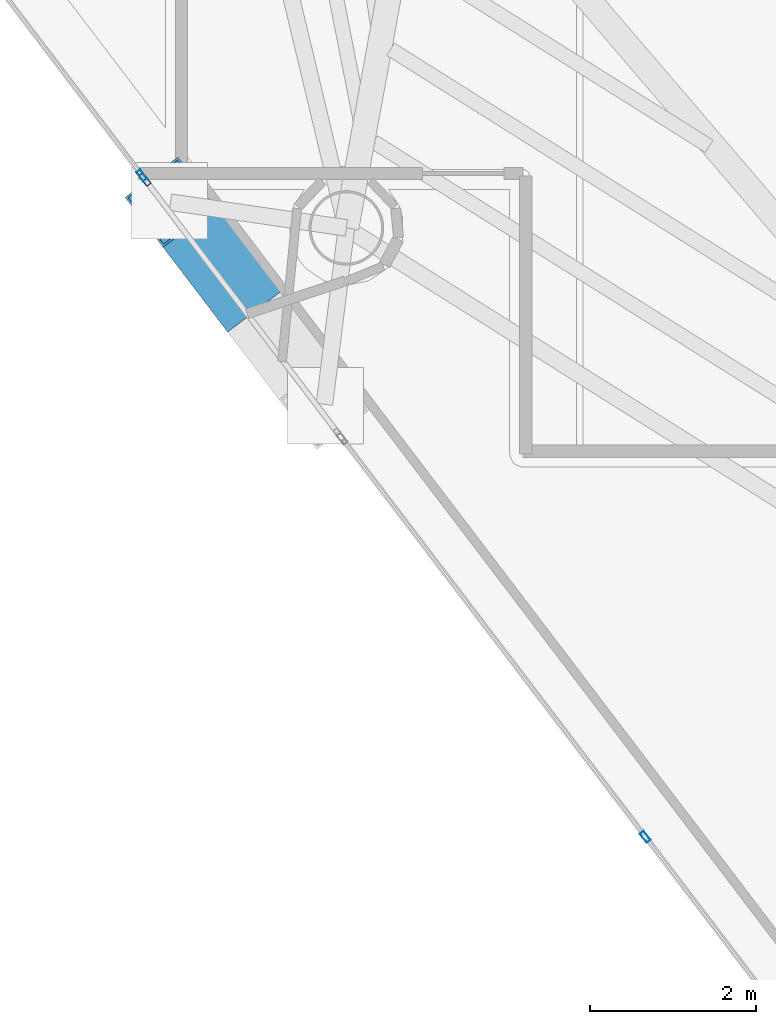
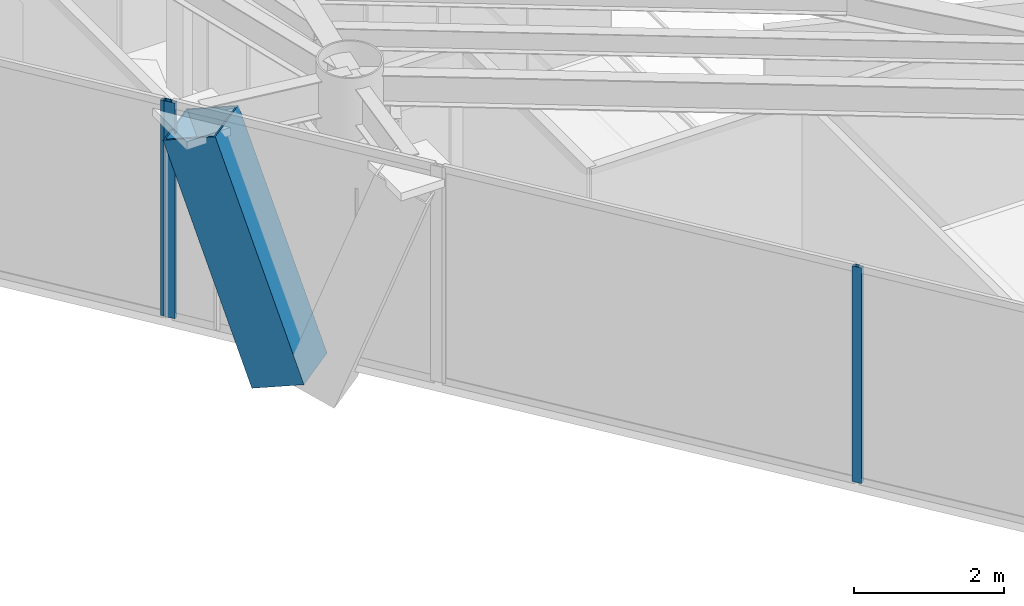
# One storey, part 2 of 24: 4 members, 3 elements without a shape of their own.
"""IFC4 building model written with IfcOpenShell, lengths in metres."""

import ifcopenshell
import ifcopenshell.guid

model = None  # the IFC model being written
_history = None  # IfcOwnerHistory: only IFC2X3 demands one
_inside = {}  # id of a spatial element -> (the spatial element, [elements in it])
_under = {}  # id of a project, library or spatial element -> (it, [spatial elements below it])
_declared = {}  # id of a project -> (the project, [libraries it declares])
_typed = {}  # id of a type object -> (the type object, [elements of that type])
_made_of = {}  # id of a material, layer set ... -> (it, [elements and type objects made of it])


def new_model(schema):
    """Start an empty IFC model of exactly this schema.

    Asked for "IFC4X3", IfcOpenShell would pick the latest addendum, in which some entities
    have other attributes; the version numbers below select the first issue.
    IFC2X3 requires an IfcOwnerHistory on every rooted entity: one is made here for all.
    """
    global model, _history
    if schema == "IFC4X3":
        model = ifcopenshell.file(schema_version=(4, 3, 0, 0))
    else:
        model = ifcopenshell.file(schema=schema)
    _inside.clear()
    _under.clear()
    _declared.clear()
    _typed.clear()
    _made_of.clear()
    _history = None
    if model.schema == "IFC2X3":
        org = make("IfcOrganization", Name="unknown")
        user = make(
            "IfcPersonAndOrganization",
            ThePerson=make("IfcPerson", FamilyName="unknown"),
            TheOrganization=org,
        )
        app = make(
            "IfcApplication",
            ApplicationDeveloper=org,
            Version="unknown",
            ApplicationFullName="unknown",
            ApplicationIdentifier="unknown",
        )
        _history = make(
            "IfcOwnerHistory",
            OwningUser=user,
            OwningApplication=app,
            ChangeAction="ADDED",
            CreationDate=0,
        )
    return model


def make(cls, **values):
    """One entity of the class cls with the attributes given. An attribute that is None is left unset."""
    return model.create_entity(
        cls, **{name: value for name, value in values.items() if value is not None}
    )


def rooted(cls, **values):
    """An entity with a GlobalId (a new one), such as an element, a storey or a relation."""
    return make(cls, GlobalId=ifcopenshell.guid.new(), OwnerHistory=_history, **values)


def si_unit(unit_type, name, prefix=None):
    """IfcSIUnit, for example si_unit("LENGTHUNIT", "METRE", prefix="MILLI")."""
    return make("IfcSIUnit", UnitType=unit_type, Prefix=prefix, Name=name)


def assignment(units):
    """IfcUnitAssignment: the units of a project."""
    return None if units is None else make("IfcUnitAssignment", Units=units)


def point(xyz):
    """IfcCartesianPoint."""
    return None if xyz is None else make("IfcCartesianPoint", Coordinates=xyz)


def direction(xyz):
    """IfcDirection."""
    return None if xyz is None else make("IfcDirection", DirectionRatios=xyz)


def frame(location, z_axis=None, x_axis=None):
    """IfcAxis2Placement3D, a coordinate frame: its origin and axes. An axis left out is left unset."""
    return make(
        "IfcAxis2Placement3D",
        Location=point(location),
        Axis=direction(z_axis),
        RefDirection=direction(x_axis),
    )


def frame_2d(location, x_axis=None):
    """IfcAxis2Placement2D, a coordinate frame in the plane: its origin and x axis."""
    return make(
        "IfcAxis2Placement2D", Location=point(location), RefDirection=direction(x_axis)
    )


def origin():
    """The frame at (0, 0, 0) with its axes left unset."""
    return frame((0.0, 0.0, 0.0))


def origin_2d():
    """The frame at (0, 0) in the plane with its x axis left unset."""
    return frame_2d((0.0, 0.0))


def place(relative_to, where):
    """IfcLocalPlacement: puts the frame where relative to a parent placement (None: the world)."""
    return make(
        "IfcLocalPlacement", PlacementRelTo=relative_to, RelativePlacement=where
    )


def context(
    kind, dimensions, precision=None, world=None, true_north=None, identifier=None
):
    """IfcGeometricRepresentationContext, for example the 3D "Model" context."""
    return make(
        "IfcGeometricRepresentationContext",
        ContextIdentifier=identifier,
        ContextType=kind,
        CoordinateSpaceDimension=dimensions,
        Precision=precision,
        WorldCoordinateSystem=world,
        TrueNorth=true_north,
    )


def subcontext(parent, identifier, kind, view, scale=None):
    """IfcGeometricRepresentationSubContext, for example "Body" below "Model"."""
    return make(
        "IfcGeometricRepresentationSubContext",
        ContextIdentifier=identifier,
        ContextType=kind,
        ParentContext=parent,
        TargetScale=scale,
        TargetView=view,
    )


def project(units=None, contexts=None):
    """IfcProject with its units and contexts."""
    return rooted(
        "IfcProject",
        Name="project",
        RepresentationContexts=contexts,
        UnitsInContext=assignment(units),
    )


def spatial(cls, under=None, at=None, **own):
    """A site, building, storey or space (cls), placed at a placement, below another one or the project."""
    s = rooted(cls, ObjectPlacement=at, **own)
    if under is not None:
        _under.setdefault(under.id(), (under, []))[1].append(s)
    return s


def profile(cls, at=None, kind="AREA", **sizes):
    """A parametric profile (cls). Its sizes go by their IFC names, for example OverallWidth=200.0."""
    return make(cls, ProfileType=kind, Position=at, **sizes)


def hollow_rectangle(**sizes):
    """IfcRectangleHollowProfileDef."""
    return profile("IfcRectangleHollowProfileDef", **sizes)


def extrude(swept, where, along, depth):
    """IfcExtrudedAreaSolid: the profile swept, set in the frame where, extruded along a direction by depth."""
    return make(
        "IfcExtrudedAreaSolid",
        SweptArea=swept,
        Position=where,
        ExtrudedDirection=direction(along),
        Depth=depth,
    )


def shape(context_of_items, identifier, shape_type, items):
    """IfcShapeRepresentation: the items that make up one representation, for example the "Body"."""
    return make(
        "IfcShapeRepresentation",
        ContextOfItems=context_of_items,
        RepresentationIdentifier=identifier,
        RepresentationType=shape_type,
        Items=items,
    )


def material(Name=None, Category=None):
    """IfcMaterial."""
    return make("IfcMaterial", Name=Name, Category=Category)


def layer(
    of_material, thickness, ventilated=None, Name=None, Category=None, Priority=None
):
    """IfcMaterialLayer: one layer of a wall or slab, of a material (None: an air gap)."""
    return make(
        "IfcMaterialLayer",
        Material=of_material,
        LayerThickness=thickness,
        IsVentilated=ventilated,
        Name=Name,
        Category=Category,
        Priority=Priority,
    )


def layer_set(layers, Name=None):
    """IfcMaterialLayerSet."""
    return make("IfcMaterialLayerSet", MaterialLayers=layers, LayerSetName=Name)


def material_profile(
    of_material, cross_section, Name=None, Category=None, Priority=None
):
    """IfcMaterialProfile: a cross section and its material."""
    return make(
        "IfcMaterialProfile",
        Name=Name,
        Material=of_material,
        Profile=cross_section,
        Priority=Priority,
        Category=Category,
    )


def profile_set(profiles, Name=None, composite=None):
    """IfcMaterialProfileSet."""
    return make(
        "IfcMaterialProfileSet",
        Name=Name,
        MaterialProfiles=profiles,
        CompositeProfile=composite,
    )


def made_of(thing, what):
    """Note that an element or type object is made of a material, layer set ...; save() writes the relation."""
    if what is not None:
        _made_of.setdefault(what.id(), (what, []))[1].append(thing)
    return thing


def type_object(cls, material=None, **own):
    """A type object (cls), such as IfcWallType, which elements share."""
    return made_of(rooted(cls, **own), material)


def element(
    cls,
    number,
    at=None,
    inside=None,
    cuts=None,
    type_object=None,
    material=None,
    context=None,
    identifier="Body",
    shape_type=None,
    held_by="IfcProductDefinitionShape",
    body=None,
    shapes=None,
    **own,
):
    """One element of the class cls, such as IfcWall. Its Tag is "e" and its number.

    at: its placement. inside: the storey or other place that contains it. cuts: it is an
    opening in that element (IfcRelVoidsElement). A single representation is given by context,
    identifier, shape_type and body (its items); several are given by shapes. held_by: the class
    of the entity that holds the representations. save() writes the other relations.
    """
    e = rooted(cls, Tag="e%d" % number, ObjectPlacement=at, **own)
    if body is not None:
        shapes = [shape(context, identifier, shape_type, body)]
    if shapes is not None:
        e.Representation = make(held_by, Representations=shapes)
    if inside is not None:
        _inside.setdefault(inside.id(), (inside, []))[1].append(e)
    if cuts is not None:
        rooted(
            "IfcRelVoidsElement", RelatingBuildingElement=cuts, RelatedOpeningElement=e
        )
    if type_object is not None:
        _typed.setdefault(type_object.id(), (type_object, []))[1].append(e)
    return made_of(e, material)


def aggregate(whole, parts):
    """IfcRelAggregates: a whole, such as a stair, and the parts it consists of."""
    return rooted("IfcRelAggregates", RelatingObject=whole, RelatedObjects=parts)


def save(model, path):
    """Write the relations noted so far, then the file.

    IfcRelAggregates (storeys below a building ...), IfcRelContainedInSpatialStructure (elements
    in a storey), IfcRelDefinesByType, IfcRelAssociatesMaterial and IfcRelDeclares: one each for
    every whole, place, type object, material and project.
    """
    for whole, parts in _under.values():
        aggregate(whole, parts)
    for where, things in _inside.values():
        rooted(
            "IfcRelContainedInSpatialStructure",
            RelatedElements=things,
            RelatingStructure=where,
        )
    for kind, things in _typed.values():
        rooted("IfcRelDefinesByType", RelatedObjects=things, RelatingType=kind)
    for what, things in _made_of.values():
        rooted("IfcRelAssociatesMaterial", RelatedObjects=things, RelatingMaterial=what)
    for by, libraries in _declared.values():
        rooted("IfcRelDeclares", RelatingContext=by, RelatedDefinitions=libraries)
    model.write(path)


model = new_model("IFC4")

# Units and contexts
model_context = context("Model", 3, precision=1e-05, world=origin(), true_north=direction((0.0, 1.0)))
body_context = subcontext(model_context, "Body", "Model", "MODEL_VIEW")
ifc_project = project(units=[si_unit("LENGTHUNIT", "METRE"), si_unit("AREAUNIT", "SQUARE_METRE"), si_unit("VOLUMEUNIT", "CUBIC_METRE"), si_unit("PLANEANGLEUNIT", "RADIAN"), si_unit("MASSUNIT", "GRAM", prefix="KILO")], contexts=[model_context])

# Site, building, storey
site_placement = place(None, origin())
site = spatial("IfcSite", under=ifc_project, at=site_placement, CompositionType="ELEMENT")
building_placement = place(site_placement, origin())
building = spatial("IfcBuilding", under=site, at=building_placement, Name="Qianvela Tower", CompositionType="ELEMENT")
storey_placement = place(building_placement, frame((0.0, 0.0, 306.5)))
storey = spatial("IfcBuildingStorey", under=building, at=storey_placement, Name="L79", CompositionType="ELEMENT", Elevation=306.5)

# Curtain wall, member
ifc_material_1 = material(Name="Anodised Architectural Aluminium and Insulated Spandrel Panel", Category="aluminium")
ifc_layer_1 = layer(ifc_material_1, 0.179931640625)
ifc_layer_set_1 = layer_set([ifc_layer_1], Name="Anodised Architectural Aluminium and Insulated Spandrel Panel")
curtain_wall_type_1 = type_object("IfcCurtainWallType", Name="CW-BRACEBAY", PredefinedType="USERDEFINED", material=ifc_layer_set_1)
curtain_wall_1_placement = place(storey_placement, origin())
curtain_wall_1 = element("IfcCurtainWall", 1, at=curtain_wall_1_placement, inside=storey, type_object=curtain_wall_type_1, Name="L79 CW-BRACEBAY Curtain Wall 04B", ObjectType="CURTAIN_WALL_SYSTEM", PredefinedType="USERDEFINED")
ifc_material_2 = material(Name="Anodised Architectural Aluminium 6063-T6", Category="aluminium")
ifc_material_profile_1 = material_profile(ifc_material_2, hollow_rectangle(XDim=0.06494140625, YDim=0.159912109375, WallThickness=0.0048828125, at=origin_2d()), Name="ALU-MULL-65x160")
ifc_profile_set_1 = profile_set([ifc_material_profile_1], Name="Anodised Architectural Aluminium 6063-T6")
member_type_1 = type_object("IfcMemberType", Name="CW-BRACEBAY-MULL", PredefinedType="MULLION", material=ifc_profile_set_1)
member_1_placement = place(storey_placement, frame((25.240478515625, 19.357666015625, 0.0), z_axis=(0.0, 0.0, 1.0), x_axis=(0.795686325614, 0.605708899745, 0.0)))
member_1 = element("IfcMember", 2, at=member_1_placement, type_object=member_type_1, Name="CW-9 mullion 1", PredefinedType="MULLION", context=body_context, shape_type="SweptSolid", body=[
    extrude(hollow_rectangle(XDim=0.06494140625, YDim=0.159912109375, WallThickness=0.0048828125, at=origin_2d()), origin(), (0.0, 0.0, 1.0), 3.52001953125),
])
aggregate(curtain_wall_1, [member_1])

ifc_material_3 = material(Name="Anodised Architectural Aluminium and Low-E Glass", Category="aluminium")
ifc_layer_2 = layer(ifc_material_3, 0.14990234375)
ifc_layer_set_2 = layer_set([ifc_layer_2], Name="Anodised Architectural Aluminium and Low-E Glass")
curtain_wall_type_2 = type_object("IfcCurtainWallType", Name="CW-COLIV-Z78", PredefinedType="USERDEFINED", material=ifc_layer_set_2)
curtain_wall_2_placement = place(storey_placement, origin())
curtain_wall_2 = element("IfcCurtainWall", 3, at=curtain_wall_2_placement, inside=storey, type_object=curtain_wall_type_2, Name="L79 CW-COLIV-Z78 Curtain Wall 04A", ObjectType="CURTAIN_WALL_SYSTEM", PredefinedType="USERDEFINED")
ifc_material_4 = material(Name="Anodised Architectural Aluminium 6063-T6", Category="aluminium")
ifc_material_profile_2 = material_profile(ifc_material_4, hollow_rectangle(XDim=0.06005859375, YDim=0.139892578125, WallThickness=0.00439453125, at=origin_2d()), Name="ALU-MULL-60x140")
ifc_profile_set_2 = profile_set([ifc_material_profile_2], Name="Anodised Architectural Aluminium 6063-T6")
member_type_2 = type_object("IfcMemberType", Name="CW-COLIV-Z78-MULL", PredefinedType="MULLION", material=ifc_profile_set_2)
member_2_placement = place(storey_placement, frame((25.20263671875, 19.407470703125, 0.0), z_axis=(0.0, 0.0, 1.0), x_axis=(0.795688844812, 0.605705590399, 0.0)))
member_2 = element("IfcMember", 4, at=member_2_placement, type_object=member_type_2, Name="CW-6 mullion 3", PredefinedType="MULLION", context=body_context, shape_type="SweptSolid", body=[
    extrude(hollow_rectangle(XDim=0.06005859375, YDim=0.139892578125, WallThickness=0.00439453125, at=origin_2d()), origin(), (0.0, 0.0, 1.0), 3.52001953125),
])
aggregate(curtain_wall_2, [member_2])

curtain_wall_3_placement = place(storey_placement, origin())
curtain_wall_3 = element("IfcCurtainWall", 5, at=curtain_wall_3_placement, inside=storey, type_object=curtain_wall_type_2, Name="L79 CW-COLIV-Z78 Curtain Wall 04C", ObjectType="CURTAIN_WALL_SYSTEM", PredefinedType="USERDEFINED")
member_3_placement = place(storey_placement, frame((31.2734375, 11.43212890625, 0.0), z_axis=(0.0, 0.0, 1.0), x_axis=(0.795686645152, 0.605708479986, 0.0)))
member_3 = element("IfcMember", 6, at=member_3_placement, type_object=member_type_2, Name="CW-6 mullion 2", PredefinedType="MULLION", context=body_context, shape_type="SweptSolid", body=[
    extrude(hollow_rectangle(XDim=0.06005859375, YDim=0.139892578125, WallThickness=0.00439453125, at=origin_2d()), origin(), (0.0, 0.0, 1.0), 3.52001953125),
])
aggregate(curtain_wall_3, [member_3])

# Member
ifc_material_5 = material(Name="Steel Q420GJC", Category="steel")
ifc_material_profile_3 = material_profile(ifc_material_5, hollow_rectangle(XDim=0.800048828125, YDim=0.800048828125, WallThickness=0.028076171875, at=origin_2d()), Name="MBOX-800x800x28")
ifc_profile_set_3 = profile_set([ifc_material_profile_3], Name="Steel Q420GJC")
member_type_3 = type_object("IfcMemberType", Name="MBR-MBRACE-800", PredefinedType="BRACE", material=ifc_profile_set_3)
member_4_placement = place(storey_placement, frame((26.32763671875, 18.061279296875, -0.48193359375), z_axis=(-0.198936423043, 0.261384510727, 0.944511745368), x_axis=(-0.795745205784, -0.605631544317, 0.0)))
element("IfcMember", 7, at=member_4_placement, inside=storey, type_object=member_type_3, Name="L79 Tier 13 Exterior Mega-Brace F2A", PredefinedType="BRACE", context=body_context, shape_type="SweptSolid", body=[
    extrude(hollow_rectangle(XDim=0.800048828125, YDim=0.800048828125, WallThickness=0.028076171875, at=origin_2d()), origin(), (0.0, 0.0, 1.0), 3.917236328125),
])

save(model, "model.ifc")
